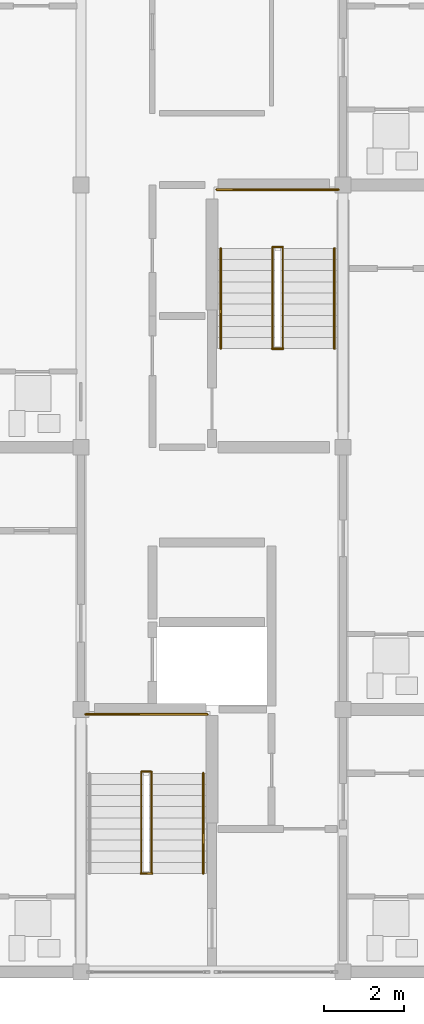
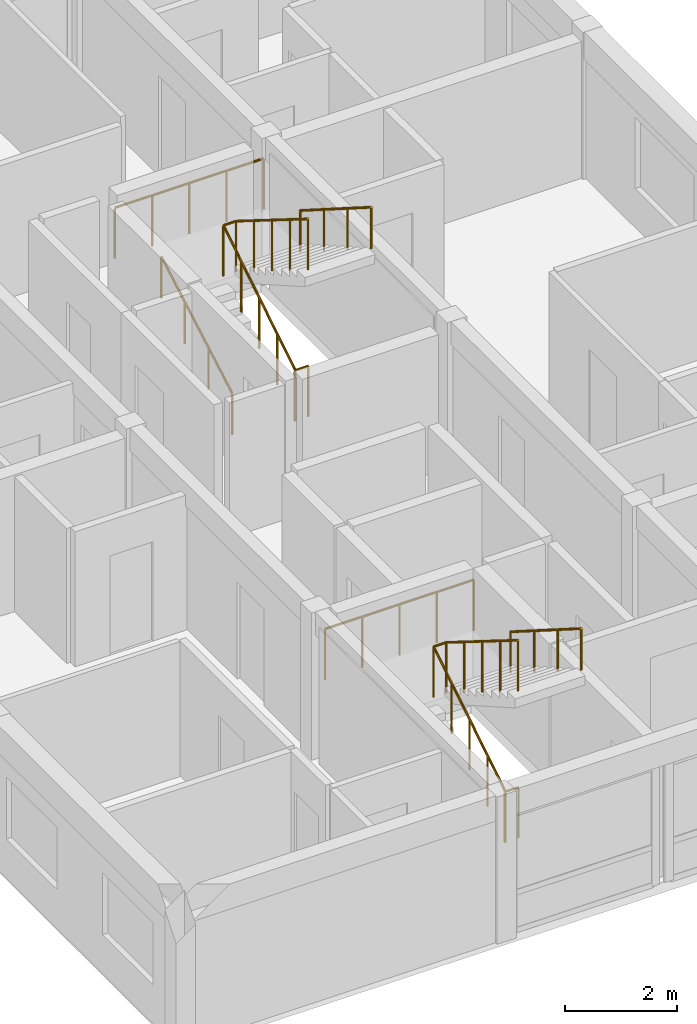
# One storey, part 30 of 34: 9 railings.
"""IFC4 building model written with IfcOpenShell, lengths in metres."""

import ifcopenshell
import ifcopenshell.guid

model = None  # the IFC model being written
_history = None  # IfcOwnerHistory: only IFC2X3 demands one
_inside = {}  # id of a spatial element -> (the spatial element, [elements in it])
_under = {}  # id of a project, library or spatial element -> (it, [spatial elements below it])
_declared = {}  # id of a project -> (the project, [libraries it declares])
_typed = {}  # id of a type object -> (the type object, [elements of that type])
_made_of = {}  # id of a material, layer set ... -> (it, [elements and type objects made of it])


def new_model(schema):
    """Start an empty IFC model of exactly this schema.

    Asked for "IFC4X3", IfcOpenShell would pick the latest addendum, in which some entities
    have other attributes; the version numbers below select the first issue.
    IFC2X3 requires an IfcOwnerHistory on every rooted entity: one is made here for all.
    """
    global model, _history
    if schema == "IFC4X3":
        model = ifcopenshell.file(schema_version=(4, 3, 0, 0))
    else:
        model = ifcopenshell.file(schema=schema)
    _inside.clear()
    _under.clear()
    _declared.clear()
    _typed.clear()
    _made_of.clear()
    _history = None
    if model.schema == "IFC2X3":
        org = make("IfcOrganization", Name="unknown")
        user = make(
            "IfcPersonAndOrganization",
            ThePerson=make("IfcPerson", FamilyName="unknown"),
            TheOrganization=org,
        )
        app = make(
            "IfcApplication",
            ApplicationDeveloper=org,
            Version="unknown",
            ApplicationFullName="unknown",
            ApplicationIdentifier="unknown",
        )
        _history = make(
            "IfcOwnerHistory",
            OwningUser=user,
            OwningApplication=app,
            ChangeAction="ADDED",
            CreationDate=0,
        )
    return model


def make(cls, **values):
    """One entity of the class cls with the attributes given. An attribute that is None is left unset."""
    return model.create_entity(
        cls, **{name: value for name, value in values.items() if value is not None}
    )


def rooted(cls, **values):
    """An entity with a GlobalId (a new one), such as an element, a storey or a relation."""
    return make(cls, GlobalId=ifcopenshell.guid.new(), OwnerHistory=_history, **values)


def si_unit(unit_type, name, prefix=None):
    """IfcSIUnit, for example si_unit("LENGTHUNIT", "METRE", prefix="MILLI")."""
    return make("IfcSIUnit", UnitType=unit_type, Prefix=prefix, Name=name)


def assignment(units):
    """IfcUnitAssignment: the units of a project."""
    return None if units is None else make("IfcUnitAssignment", Units=units)


def point(xyz):
    """IfcCartesianPoint."""
    return None if xyz is None else make("IfcCartesianPoint", Coordinates=xyz)


def direction(xyz):
    """IfcDirection."""
    return None if xyz is None else make("IfcDirection", DirectionRatios=xyz)


def frame(location, z_axis=None, x_axis=None):
    """IfcAxis2Placement3D, a coordinate frame: its origin and axes. An axis left out is left unset."""
    return make(
        "IfcAxis2Placement3D",
        Location=point(location),
        Axis=direction(z_axis),
        RefDirection=direction(x_axis),
    )


def frame_2d(location, x_axis=None):
    """IfcAxis2Placement2D, a coordinate frame in the plane: its origin and x axis."""
    return make(
        "IfcAxis2Placement2D", Location=point(location), RefDirection=direction(x_axis)
    )


def origin():
    """The frame at (0, 0, 0) with its axes left unset."""
    return frame((0.0, 0.0, 0.0))


def origin_2d():
    """The frame at (0, 0) in the plane with its x axis left unset."""
    return frame_2d((0.0, 0.0))


def place(relative_to, where):
    """IfcLocalPlacement: puts the frame where relative to a parent placement (None: the world)."""
    return make(
        "IfcLocalPlacement", PlacementRelTo=relative_to, RelativePlacement=where
    )


def context(
    kind, dimensions, precision=None, world=None, true_north=None, identifier=None
):
    """IfcGeometricRepresentationContext, for example the 3D "Model" context."""
    return make(
        "IfcGeometricRepresentationContext",
        ContextIdentifier=identifier,
        ContextType=kind,
        CoordinateSpaceDimension=dimensions,
        Precision=precision,
        WorldCoordinateSystem=world,
        TrueNorth=true_north,
    )


def subcontext(parent, identifier, kind, view, scale=None):
    """IfcGeometricRepresentationSubContext, for example "Body" below "Model"."""
    return make(
        "IfcGeometricRepresentationSubContext",
        ContextIdentifier=identifier,
        ContextType=kind,
        ParentContext=parent,
        TargetScale=scale,
        TargetView=view,
    )


def project(units=None, contexts=None):
    """IfcProject with its units and contexts."""
    return rooted(
        "IfcProject",
        Name="project",
        RepresentationContexts=contexts,
        UnitsInContext=assignment(units),
    )


def spatial(cls, under=None, at=None, **own):
    """A site, building, storey or space (cls), placed at a placement, below another one or the project."""
    s = rooted(cls, ObjectPlacement=at, **own)
    if under is not None:
        _under.setdefault(under.id(), (under, []))[1].append(s)
    return s


def profile(cls, at=None, kind="AREA", **sizes):
    """A parametric profile (cls). Its sizes go by their IFC names, for example OverallWidth=200.0."""
    return make(cls, ProfileType=kind, Position=at, **sizes)


def circle(**sizes):
    """IfcCircleProfileDef."""
    return profile("IfcCircleProfileDef", **sizes)


def extrude(swept, where, along, depth):
    """IfcExtrudedAreaSolid: the profile swept, set in the frame where, extruded along a direction by depth."""
    return make(
        "IfcExtrudedAreaSolid",
        SweptArea=swept,
        Position=where,
        ExtrudedDirection=direction(along),
        Depth=depth,
    )


def shape(context_of_items, identifier, shape_type, items):
    """IfcShapeRepresentation: the items that make up one representation, for example the "Body"."""
    return make(
        "IfcShapeRepresentation",
        ContextOfItems=context_of_items,
        RepresentationIdentifier=identifier,
        RepresentationType=shape_type,
        Items=items,
    )


def material(Name=None, Category=None):
    """IfcMaterial."""
    return make("IfcMaterial", Name=Name, Category=Category)


def made_of(thing, what):
    """Note that an element or type object is made of a material, layer set ...; save() writes the relation."""
    if what is not None:
        _made_of.setdefault(what.id(), (what, []))[1].append(thing)
    return thing


def type_object(cls, material=None, **own):
    """A type object (cls), such as IfcWallType, which elements share."""
    return made_of(rooted(cls, **own), material)


def element(
    cls,
    number,
    at=None,
    inside=None,
    cuts=None,
    type_object=None,
    material=None,
    context=None,
    identifier="Body",
    shape_type=None,
    held_by="IfcProductDefinitionShape",
    body=None,
    shapes=None,
    **own,
):
    """One element of the class cls, such as IfcWall. Its Tag is "e" and its number.

    at: its placement. inside: the storey or other place that contains it. cuts: it is an
    opening in that element (IfcRelVoidsElement). A single representation is given by context,
    identifier, shape_type and body (its items); several are given by shapes. held_by: the class
    of the entity that holds the representations. save() writes the other relations.
    """
    e = rooted(cls, Tag="e%d" % number, ObjectPlacement=at, **own)
    if body is not None:
        shapes = [shape(context, identifier, shape_type, body)]
    if shapes is not None:
        e.Representation = make(held_by, Representations=shapes)
    if inside is not None:
        _inside.setdefault(inside.id(), (inside, []))[1].append(e)
    if cuts is not None:
        rooted(
            "IfcRelVoidsElement", RelatingBuildingElement=cuts, RelatedOpeningElement=e
        )
    if type_object is not None:
        _typed.setdefault(type_object.id(), (type_object, []))[1].append(e)
    return made_of(e, material)


def aggregate(whole, parts):
    """IfcRelAggregates: a whole, such as a stair, and the parts it consists of."""
    return rooted("IfcRelAggregates", RelatingObject=whole, RelatedObjects=parts)


def save(model, path):
    """Write the relations noted so far, then the file.

    IfcRelAggregates (storeys below a building ...), IfcRelContainedInSpatialStructure (elements
    in a storey), IfcRelDefinesByType, IfcRelAssociatesMaterial and IfcRelDeclares: one each for
    every whole, place, type object, material and project.
    """
    for whole, parts in _under.values():
        aggregate(whole, parts)
    for where, things in _inside.values():
        rooted(
            "IfcRelContainedInSpatialStructure",
            RelatedElements=things,
            RelatingStructure=where,
        )
    for kind, things in _typed.values():
        rooted("IfcRelDefinesByType", RelatedObjects=things, RelatingType=kind)
    for what, things in _made_of.values():
        rooted("IfcRelAssociatesMaterial", RelatedObjects=things, RelatingMaterial=what)
    for by, libraries in _declared.values():
        rooted("IfcRelDeclares", RelatingContext=by, RelatedDefinitions=libraries)
    model.write(path)


model = new_model("IFC4")

# Units and contexts
model_context = context("Model", 3, precision=1e-05, world=origin(), true_north=direction((0.0, 1.0)))
body_context = subcontext(model_context, "Body", "Model", "MODEL_VIEW")
ifc_project = project(units=[si_unit("LENGTHUNIT", "METRE"), si_unit("AREAUNIT", "SQUARE_METRE"), si_unit("VOLUMEUNIT", "CUBIC_METRE"), si_unit("PLANEANGLEUNIT", "RADIAN"), si_unit("MASSUNIT", "GRAM", prefix="KILO")], contexts=[model_context])

# Site, building, storey
site_placement = place(None, origin())
site = spatial("IfcSite", under=ifc_project, at=site_placement, CompositionType="ELEMENT")
building_placement = place(site_placement, origin())
building = spatial("IfcBuilding", under=site, at=building_placement, Name="Kernevlak Ridge Housing Community", CompositionType="ELEMENT")
storey_placement = place(building_placement, frame((0.0, 0.0, 34.0)))
storey = spatial("IfcBuildingStorey", under=building, at=storey_placement, Name="L10", CompositionType="ELEMENT", Elevation=34.0)

# Railings
ifc_material_1 = material(Name="Steel S355", Category="steel")
railing_type_1 = type_object("IfcRailingType", Name="GR-02", PredefinedType="GUARDRAIL", material=ifc_material_1)
railing_1_placement = place(storey_placement, frame((134.110107421875, 18.080078125, 0.0)))
element("IfcRailing", 1, at=railing_1_placement, inside=storey, type_object=railing_type_1, Name="Stair ST-C1 L10 well slot guard", PredefinedType="GUARDRAIL", context=body_context, shape_type="SweptSolid", body=[
    extrude(circle(Radius=0.02392578125, at=origin_2d()), frame((0.0, 0.0, 1.09619140625), z_axis=(1.0, 0.0, 0.0), x_axis=(0.0, 1.0, 0.0)), (0.0, 0.0, 1.0), 0.27978515625),
    extrude(circle(Radius=0.02099609375, at=origin_2d()), origin(), (0.0, 0.0, 1.0), 1.072021484375),
    extrude(circle(Radius=0.02099609375, at=origin_2d()), frame((0.27978515625, 0.0, 0.0)), (0.0, 0.0, 1.0), 1.072021484375),
])
railing_2_placement = place(storey_placement, frame((134.1201171875, 18.080078125, 0.0)))
element("IfcRailing", 2, at=railing_2_placement, inside=storey, type_object=railing_type_1, Name="Stair ST-C1 L10 inner well guardrail", PredefinedType="GUARDRAIL", context=body_context, shape_type="SweptSolid", body=[
    extrude(circle(Radius=0.02392578125, at=origin_2d()), frame((0.0, 0.0, 1.09619140625), z_axis=(0.0, 0.847966497998, 0.530049826217), x_axis=(-1.0, 0.0, 0.0)), (0.0, 0.0, 1.0), 3.018798828125),
    extrude(circle(Radius=0.02392578125, at=origin_2d()), frame((0.0, 2.559814453125, 2.6962890625), z_axis=(1.0, 0.0, 0.0), x_axis=(0.0, 1.0, 0.0)), (0.0, 0.0, 1.0), 0.259765625),
    extrude(circle(Radius=0.02392578125, at=origin_2d()), frame((0.259765625, 2.559814453125, 2.6962890625), z_axis=(0.0, -0.848002847666, 0.529991670077), x_axis=(1.0, 0.0, 0.0)), (0.0, 0.0, 1.0), 3.0185546875),
    extrude(circle(Radius=0.02099609375, at=origin_2d()), origin(), (0.0, 0.0, 1.0), 1.072021484375),
    extrude(circle(Radius=0.02099609375, at=origin_2d()), frame((0.0, 0.639892578125, 0.39990234375)), (0.0, 0.0, 1.0), 1.072021484375),
    extrude(circle(Radius=0.02099609375, at=origin_2d()), frame((0.0, 1.27978515625, 0.800048828125)), (0.0, 0.0, 1.0), 1.072021484375),
    extrude(circle(Radius=0.02099609375, at=origin_2d()), frame((0.0, 1.919921875, 1.2001953125)), (0.0, 0.0, 1.0), 1.072021484375),
    extrude(circle(Radius=0.02099609375, at=origin_2d()), frame((0.0, 2.559814453125, 1.60009765625)), (0.0, 0.0, 1.0), 1.072021484375),
    extrude(circle(Radius=0.02099609375, at=origin_2d()), frame((0.259765625, 2.559814453125, 1.60009765625)), (0.0, 0.0, 1.0), 1.072021484375),
    extrude(circle(Radius=0.02099609375, at=origin_2d()), frame((0.259765625, 1.919921875, 2.0)), (0.0, 0.0, 1.0), 1.072021484375),
    extrude(circle(Radius=0.02099609375, at=origin_2d()), frame((0.259765625, 1.27978515625, 2.39990234375)), (0.0, 0.0, 1.0), 1.072021484375),
    extrude(circle(Radius=0.02099609375, at=origin_2d()), frame((0.259765625, 0.639892578125, 2.800048828125)), (0.0, 0.0, 1.0), 1.072021484375),
    extrude(circle(Radius=0.02099609375, at=origin_2d()), frame((0.259765625, 0.0, 3.199951171875)), (0.0, 0.0, 1.0), 1.072021484375),
])
railing_3_placement = place(storey_placement, frame((132.719970703125, 22.080078125, 1.60009765625)))
element("IfcRailing", 3, at=railing_3_placement, inside=storey, type_object=railing_type_1, Name="Stair ST-C1 L10 half-landing guard", PredefinedType="GUARDRAIL", context=body_context, shape_type="SweptSolid", body=[
    extrude(circle(Radius=0.02392578125, at=origin_2d()), frame((0.0, 0.0, 1.09619140625), z_axis=(1.0, 0.0, 0.0), x_axis=(0.0, 1.0, 0.0)), (0.0, 0.0, 1.0), 3.06005859375),
    extrude(circle(Radius=0.02099609375, at=origin_2d()), origin(), (0.0, 0.0, 1.0), 1.072021484375),
    extrude(circle(Radius=0.02099609375, at=origin_2d()), frame((0.76513671875, 0.0, 0.0)), (0.0, 0.0, 1.0), 1.072021484375),
    extrude(circle(Radius=0.02099609375, at=origin_2d()), frame((1.530029296875, 0.0, 0.0)), (0.0, 0.0, 1.0), 1.072021484375),
    extrude(circle(Radius=0.02099609375, at=origin_2d()), frame((2.294921875, 0.0, 0.0)), (0.0, 0.0, 1.0), 1.072021484375),
    extrude(circle(Radius=0.02099609375, at=origin_2d()), frame((3.06005859375, 0.0, 0.0)), (0.0, 0.0, 1.0), 1.072021484375),
])
railing_4_placement = place(storey_placement, frame((137.409912109375, 31.280029296875, 0.0)))
element("IfcRailing", 4, at=railing_4_placement, inside=storey, type_object=railing_type_1, Name="Stair ST-C2 L10 well slot guard", PredefinedType="GUARDRAIL", context=body_context, shape_type="SweptSolid", body=[
    extrude(circle(Radius=0.02392578125, at=origin_2d()), frame((0.0, 0.0, 1.09619140625), z_axis=(1.0, 0.0, 0.0), x_axis=(0.0, 1.0, 0.0)), (0.0, 0.0, 1.0), 0.280029296875),
    extrude(circle(Radius=0.02099609375, at=origin_2d()), origin(), (0.0, 0.0, 1.0), 1.072021484375),
    extrude(circle(Radius=0.02099609375, at=origin_2d()), frame((0.280029296875, 0.0, 0.0)), (0.0, 0.0, 1.0), 1.072021484375),
])
railing_5_placement = place(storey_placement, frame((137.419921875, 31.280029296875, 0.0)))
element("IfcRailing", 5, at=railing_5_placement, inside=storey, type_object=railing_type_1, Name="Stair ST-C2 L10 inner well guardrail", PredefinedType="GUARDRAIL", context=body_context, shape_type="SweptSolid", body=[
    extrude(circle(Radius=0.02392578125, at=origin_2d()), frame((0.0, 0.0, 1.09619140625), z_axis=(0.0, 0.847989217509, 0.530013478119), x_axis=(-1.0, 0.0, 0.0)), (0.0, 0.0, 1.0), 3.01904296875),
    extrude(circle(Radius=0.02392578125, at=origin_2d()), frame((0.0, 2.56005859375, 2.6962890625), z_axis=(1.0, 0.0, 0.0), x_axis=(0.0, 1.0, 0.0)), (0.0, 0.0, 1.0), 0.260009765625),
    extrude(circle(Radius=0.02392578125, at=origin_2d()), frame((0.260009765625, 2.56005859375, 2.6962890625), z_axis=(0.0, -0.848025563165, 0.529955322851), x_axis=(1.0, 0.0, 0.0)), (0.0, 0.0, 1.0), 3.018798828125),
    extrude(circle(Radius=0.02099609375, at=origin_2d()), origin(), (0.0, 0.0, 1.0), 1.072021484375),
    extrude(circle(Radius=0.02099609375, at=origin_2d()), frame((0.0, 0.64013671875, 0.39990234375)), (0.0, 0.0, 1.0), 1.072021484375),
    extrude(circle(Radius=0.02099609375, at=origin_2d()), frame((0.0, 1.280029296875, 0.800048828125)), (0.0, 0.0, 1.0), 1.072021484375),
    extrude(circle(Radius=0.02099609375, at=origin_2d()), frame((0.0, 1.919921875, 1.2001953125)), (0.0, 0.0, 1.0), 1.072021484375),
    extrude(circle(Radius=0.02099609375, at=origin_2d()), frame((0.0, 2.56005859375, 1.60009765625)), (0.0, 0.0, 1.0), 1.072021484375),
    extrude(circle(Radius=0.02099609375, at=origin_2d()), frame((0.260009765625, 2.56005859375, 1.60009765625)), (0.0, 0.0, 1.0), 1.072021484375),
    extrude(circle(Radius=0.02099609375, at=origin_2d()), frame((0.260009765625, 1.919921875, 2.0)), (0.0, 0.0, 1.0), 1.072021484375),
    extrude(circle(Radius=0.02099609375, at=origin_2d()), frame((0.260009765625, 1.280029296875, 2.39990234375)), (0.0, 0.0, 1.0), 1.072021484375),
    extrude(circle(Radius=0.02099609375, at=origin_2d()), frame((0.260009765625, 0.64013671875, 2.800048828125)), (0.0, 0.0, 1.0), 1.072021484375),
    extrude(circle(Radius=0.02099609375, at=origin_2d()), frame((0.260009765625, 0.0, 3.199951171875)), (0.0, 0.0, 1.0), 1.072021484375),
])
railing_6_placement = place(storey_placement, frame((136.02001953125, 35.280029296875, 1.60009765625)))
element("IfcRailing", 6, at=railing_6_placement, inside=storey, type_object=railing_type_1, Name="Stair ST-C2 L10 half-landing guard", PredefinedType="GUARDRAIL", context=body_context, shape_type="SweptSolid", body=[
    extrude(circle(Radius=0.02392578125, at=origin_2d()), frame((0.0, 0.0, 1.09619140625), z_axis=(1.0, 0.0, 0.0), x_axis=(0.0, 1.0, 0.0)), (0.0, 0.0, 1.0), 3.06005859375),
    extrude(circle(Radius=0.02099609375, at=origin_2d()), origin(), (0.0, 0.0, 1.0), 1.072021484375),
    extrude(circle(Radius=0.02099609375, at=origin_2d()), frame((0.76513671875, 0.0, 0.0)), (0.0, 0.0, 1.0), 1.072021484375),
    extrude(circle(Radius=0.02099609375, at=origin_2d()), frame((1.530029296875, 0.0, 0.0)), (0.0, 0.0, 1.0), 1.072021484375),
    extrude(circle(Radius=0.02099609375, at=origin_2d()), frame((2.294921875, 0.0, 0.0)), (0.0, 0.0, 1.0), 1.072021484375),
    extrude(circle(Radius=0.02099609375, at=origin_2d()), frame((3.06005859375, 0.0, 0.0)), (0.0, 0.0, 1.0), 1.072021484375),
])
ifc_material_2 = material(Name="Stainless steel EN 1.4401", Category="steel")
railing_type_2 = type_object("IfcRailingType", Name="HR-01", PredefinedType="HANDRAIL", material=ifc_material_2)
railing_7_placement = place(storey_placement, frame((135.679931640625, 20.60009765625, 1.60009765625)))
element("IfcRailing", 7, at=railing_7_placement, inside=storey, type_object=railing_type_2, Name="Stair ST-C1 L10 flight 2 handrail", PredefinedType="HANDRAIL", context=body_context, shape_type="SweptSolid", body=[
    extrude(circle(Radius=0.02392578125, at=origin_2d()), frame((0.0, 0.0, 0.89599609375), z_axis=(0.0, -0.84423690053, 0.535970200462), x_axis=(1.0, 0.0, 0.0)), (0.0, 0.0, 1.0), 2.98486328125),
    extrude(circle(Radius=0.02099609375, at=origin_2d()), origin(), (0.0, 0.0, 1.0), 0.871826171875),
    extrude(circle(Radius=0.02099609375, at=origin_2d()), frame((0.0, -0.840087890625, 0.533203125)), (0.0, 0.0, 1.0), 0.871826171875),
    extrude(circle(Radius=0.02099609375, at=origin_2d()), frame((0.0, -1.679931640625, 1.066650390625)), (0.0, 0.0, 1.0), 0.871826171875),
    extrude(circle(Radius=0.02099609375, at=origin_2d()), frame((0.0, -2.52001953125, 1.599853515625)), (0.0, 0.0, 1.0), 0.871826171875),
])
railing_8_placement = place(storey_placement, frame((136.1201171875, 31.280029296875, 0.159912109375)))
element("IfcRailing", 8, at=railing_8_placement, inside=storey, type_object=railing_type_2, Name="Stair ST-C2 L10 flight 1 handrail", PredefinedType="HANDRAIL", context=body_context, shape_type="SweptSolid", body=[
    extrude(circle(Radius=0.02392578125, at=origin_2d()), frame((0.0, 0.0, 0.89599609375), z_axis=(0.0, 0.868217259934, 0.496184229447), x_axis=(-1.0, 0.0, 0.0)), (0.0, 0.0, 1.0), 2.902587890625),
    extrude(circle(Radius=0.02099609375, at=origin_2d()), origin(), (0.0, 0.0, 1.0), 0.871826171875),
    extrude(circle(Radius=0.02099609375, at=origin_2d()), frame((0.0, 0.840087890625, 0.47998046875)), (0.0, 0.0, 1.0), 0.871826171875),
    extrude(circle(Radius=0.02099609375, at=origin_2d()), frame((0.0, 1.679931640625, 0.960205078125)), (0.0, 0.0, 1.0), 0.871826171875),
    extrude(circle(Radius=0.02099609375, at=origin_2d()), frame((0.0, 2.52001953125, 1.440185546875)), (0.0, 0.0, 1.0), 0.871826171875),
])
railing_9_placement = place(storey_placement, frame((138.97998046875, 33.800048828125, 1.60009765625)))
element("IfcRailing", 9, at=railing_9_placement, inside=storey, type_object=railing_type_2, Name="Stair ST-C2 L10 flight 2 handrail", PredefinedType="HANDRAIL", context=body_context, shape_type="SweptSolid", body=[
    extrude(circle(Radius=0.02392578125, at=origin_2d()), frame((0.0, 0.0, 0.89599609375), z_axis=(0.0, -0.84423690053, 0.535970200462), x_axis=(1.0, 0.0, 0.0)), (0.0, 0.0, 1.0), 2.98486328125),
    extrude(circle(Radius=0.02099609375, at=origin_2d()), origin(), (0.0, 0.0, 1.0), 0.871826171875),
    extrude(circle(Radius=0.02099609375, at=origin_2d()), frame((0.0, -0.840087890625, 0.533203125)), (0.0, 0.0, 1.0), 0.871826171875),
    extrude(circle(Radius=0.02099609375, at=origin_2d()), frame((0.0, -1.679931640625, 1.066650390625)), (0.0, 0.0, 1.0), 0.871826171875),
    extrude(circle(Radius=0.02099609375, at=origin_2d()), frame((0.0, -2.52001953125, 1.599853515625)), (0.0, 0.0, 1.0), 0.871826171875),
])

save(model, "model.ifc")
